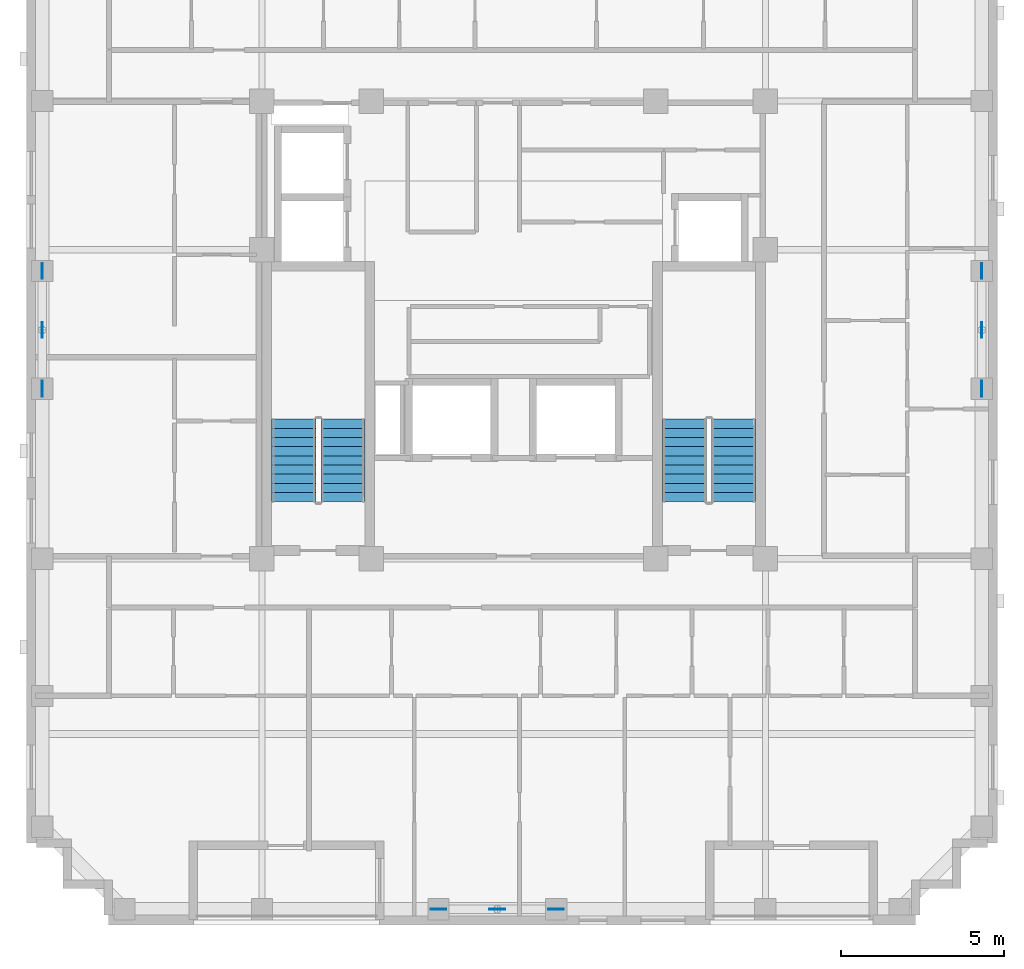
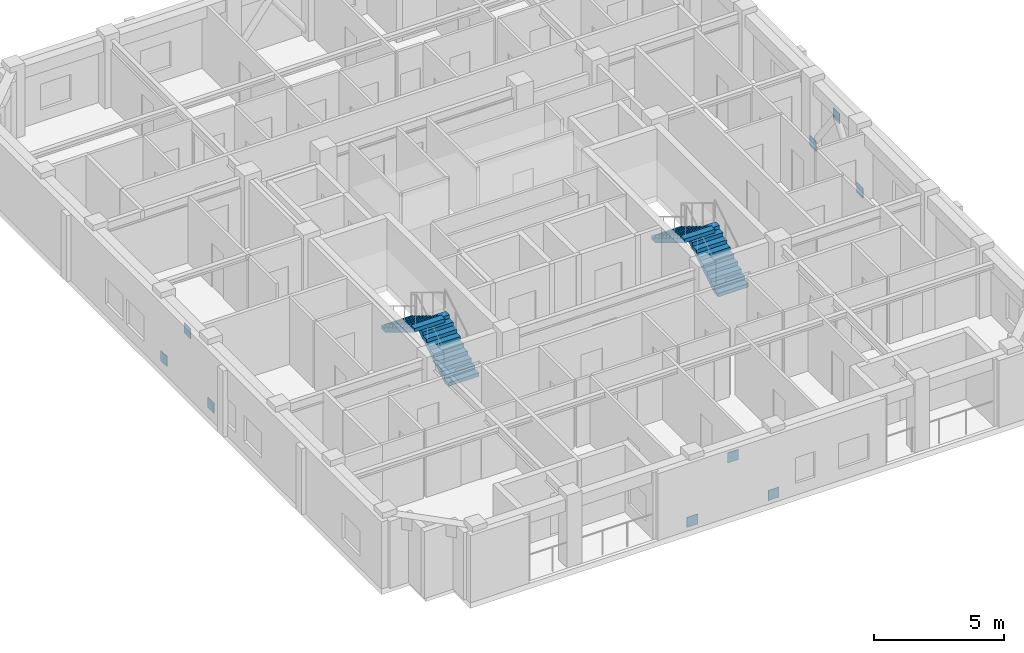
# One storey, part 8 of 11: 9 discrete accessories, 4 stair flights, 2 elements without a shape of their own.
"""IFC4 building model written with IfcOpenShell, lengths in metres."""

from ifc_helpers import new_model, si_unit, derived_unit, direction, frame, origin, origin_2d, place, context, subcontext, project, spatial, polyline, rectangle, outline, extrude, material, layer, layer_set, type_object, element, aggregate, save


model = new_model("IFC4")

# Units and contexts
model_context = context("Model", 3, precision=1e-05, world=origin(), true_north=direction((0.0, 1.0)))
body_context = subcontext(model_context, "Body", "Model", "MODEL_VIEW")
ifc_project = project(units=[si_unit("LENGTHUNIT", "METRE"), si_unit("AREAUNIT", "SQUARE_METRE"), si_unit("VOLUMEUNIT", "CUBIC_METRE"), si_unit("PLANEANGLEUNIT", "RADIAN"), si_unit("MASSUNIT", "GRAM", prefix="KILO"), derived_unit("THERMALTRANSMITTANCEUNIT", [(si_unit("MASSUNIT", "GRAM", prefix="KILO"), 1), (si_unit("TIMEUNIT", "SECOND"), -3), (si_unit("THERMODYNAMICTEMPERATUREUNIT", "KELVIN"), -1)])], contexts=[model_context])

# Site, building, storey
site_placement = place(None, origin())
site = spatial("IfcSite", under=ifc_project, at=site_placement, CompositionType="ELEMENT")
building_placement = place(site_placement, origin())
building = spatial("IfcBuilding", under=site, at=building_placement, Name="Korrvale Station Residences", CompositionType="ELEMENT")
storey_placement = place(building_placement, frame((0.0, 0.0, 241.10009765625)))
storey = spatial("IfcBuildingStorey", under=building, at=storey_placement, Name="L70", CompositionType="ELEMENT", Elevation=241.10009765625)

# Stair, stair flights
ifc_material_1 = material(Name="Concrete C50/60", Category="concrete")
stair_type = type_object("IfcStairType", Name="STR-DL-1350-20R-1700", PredefinedType="HALF_TURN_STAIR", material=ifc_material_1)
stair_1_placement = place(storey_placement, origin())
stair_1 = element("IfcStair", 1, at=stair_1_placement, inside=storey, type_object=stair_type, Name="L70 Exit Stair 1", PredefinedType="HALF_TURN_STAIR")
stair_flight_type = type_object("IfcStairFlightType", Name="FLT-DL-1350-20R-1700", PredefinedType="STRAIGHT", material=ifc_material_1)
stair_flight_1_placement = place(storey_placement, frame((20.27490234375, 16.75, 0.0), z_axis=(0.0, 0.0, 1.0), x_axis=(0.0, 1.0, 0.0)))
stair_flight_1 = element("IfcStairFlight", 2, at=stair_flight_1_placement, type_object=stair_flight_type, Name="ST-1 flight 1", NumberOfRisers=10, NumberOfTreads=9, PredefinedType="STRAIGHT", RiserHeight=0.17, TreadLength=0.28, context=body_context, shape_type="SweptSolid", body=[
    extrude(outline(polyline([(0.0, 0.0), (0.0, 0.169921875), (0.280029296875, 0.169921875), (0.280029296875, 0.340087890625), (0.56005859375, 0.340087890625), (0.56005859375, 0.510009765625), (0.840087890625, 0.510009765625), (0.840087890625, 0.679931640625), (1.1201171875, 0.679931640625), (1.1201171875, 0.85009765625), (1.39990234375, 0.85009765625), (1.39990234375, 1.02001953125), (1.679931640625, 1.02001953125), (1.679931640625, 1.18994140625), (1.9599609375, 1.18994140625), (1.9599609375, 1.360107421875), (2.239990234375, 1.360107421875), (2.239990234375, 1.530029296875), (2.52001953125, 1.530029296875), (2.52001953125, 1.699951171875), (2.52001953125, 1.354736328125), (0.288818359375, 0.0), (0.0, 0.0)])), frame((0.0, 0.675048828125, 0.0), z_axis=(0.0, -1.0, 0.0), x_axis=(1.0, 0.0, 0.0)), (0.0, 0.0, 1.0), 1.35009765625),
])
stair_flight_2_placement = place(storey_placement, frame((18.77490234375, 19.27001953125, 1.699951171875), z_axis=(0.0, 0.0, 1.0), x_axis=(0.0, -1.0, 0.0)))
stair_flight_2 = element("IfcStairFlight", 3, at=stair_flight_2_placement, type_object=stair_flight_type, Name="ST-1 flight 2", NumberOfRisers=10, NumberOfTreads=9, PredefinedType="STRAIGHT", RiserHeight=0.17, TreadLength=0.28, context=body_context, shape_type="SweptSolid", body=[
    extrude(outline(polyline([(0.0, 0.0), (0.0, 0.169921875), (0.280029296875, 0.169921875), (0.280029296875, 0.340087890625), (0.56005859375, 0.340087890625), (0.56005859375, 0.510009765625), (0.840087890625, 0.510009765625), (0.840087890625, 0.679931640625), (1.1201171875, 0.679931640625), (1.1201171875, 0.85009765625), (1.39990234375, 0.85009765625), (1.39990234375, 1.02001953125), (1.679931640625, 1.02001953125), (1.679931640625, 1.18994140625), (1.9599609375, 1.18994140625), (1.9599609375, 1.360107421875), (2.239990234375, 1.360107421875), (2.239990234375, 1.530029296875), (2.52001953125, 1.530029296875), (2.52001953125, 1.699951171875), (2.52001953125, 1.354736328125), (0.288818359375, 0.0), (0.0, 0.0)])), frame((0.0, 0.675048828125, 0.0), z_axis=(0.0, -1.0, 0.0), x_axis=(1.0, 0.0, 0.0)), (0.0, 0.0, 1.0), 1.35009765625),
])
aggregate(stair_1, [stair_flight_1, stair_flight_2])

stair_2_placement = place(storey_placement, origin())
stair_2 = element("IfcStair", 4, at=stair_2_placement, inside=storey, type_object=stair_type, Name="L70 Exit Stair 2", PredefinedType="HALF_TURN_STAIR")
stair_flight_3_placement = place(storey_placement, frame((32.22509765625, 16.75, 0.0), z_axis=(0.0, 0.0, 1.0), x_axis=(0.0, 1.0, 0.0)))
stair_flight_3 = element("IfcStairFlight", 5, at=stair_flight_3_placement, type_object=stair_flight_type, Name="ST-2 flight 1", NumberOfRisers=10, NumberOfTreads=9, PredefinedType="STRAIGHT", RiserHeight=0.17, TreadLength=0.28, context=body_context, shape_type="SweptSolid", body=[
    extrude(outline(polyline([(0.0, 0.0), (0.0, 0.169921875), (0.280029296875, 0.169921875), (0.280029296875, 0.340087890625), (0.56005859375, 0.340087890625), (0.56005859375, 0.510009765625), (0.840087890625, 0.510009765625), (0.840087890625, 0.679931640625), (1.1201171875, 0.679931640625), (1.1201171875, 0.85009765625), (1.39990234375, 0.85009765625), (1.39990234375, 1.02001953125), (1.679931640625, 1.02001953125), (1.679931640625, 1.18994140625), (1.9599609375, 1.18994140625), (1.9599609375, 1.360107421875), (2.239990234375, 1.360107421875), (2.239990234375, 1.530029296875), (2.52001953125, 1.530029296875), (2.52001953125, 1.699951171875), (2.52001953125, 1.354736328125), (0.288818359375, 0.0), (0.0, 0.0)])), frame((0.0, 0.675048828125, 0.0), z_axis=(0.0, -1.0, 0.0), x_axis=(1.0, 0.0, 0.0)), (0.0, 0.0, 1.0), 1.35009765625),
])
stair_flight_4_placement = place(storey_placement, frame((30.72509765625, 19.27001953125, 1.699951171875), z_axis=(0.0, 0.0, 1.0), x_axis=(0.0, -1.0, 0.0)))
stair_flight_4 = element("IfcStairFlight", 6, at=stair_flight_4_placement, type_object=stair_flight_type, Name="ST-2 flight 2", NumberOfRisers=10, NumberOfTreads=9, PredefinedType="STRAIGHT", RiserHeight=0.17, TreadLength=0.28, context=body_context, shape_type="SweptSolid", body=[
    extrude(outline(polyline([(0.0, 0.0), (0.0, 0.169921875), (0.280029296875, 0.169921875), (0.280029296875, 0.340087890625), (0.56005859375, 0.340087890625), (0.56005859375, 0.510009765625), (0.840087890625, 0.510009765625), (0.840087890625, 0.679931640625), (1.1201171875, 0.679931640625), (1.1201171875, 0.85009765625), (1.39990234375, 0.85009765625), (1.39990234375, 1.02001953125), (1.679931640625, 1.02001953125), (1.679931640625, 1.18994140625), (1.9599609375, 1.18994140625), (1.9599609375, 1.360107421875), (2.239990234375, 1.360107421875), (2.239990234375, 1.530029296875), (2.52001953125, 1.530029296875), (2.52001953125, 1.699951171875), (2.52001953125, 1.354736328125), (0.288818359375, 0.0), (0.0, 0.0)])), frame((0.0, 0.675048828125, 0.0), z_axis=(0.0, -1.0, 0.0), x_axis=(1.0, 0.0, 0.0)), (0.0, 0.0, 1.0), 1.35009765625),
])
aggregate(stair_2, [stair_flight_3, stair_flight_4])

# Discrete accessories
ifc_material_2 = material(Name="Steel S355", Category="steel")
ifc_layer = layer(ifc_material_2, 0.02490234375, Name="Steel S355")
ifc_layer_set = layer_set([ifc_layer], Name="Steel S355")
discrete_accessory_type = type_object("IfcDiscreteAccessoryType", Name="ACC-GUSSET-25", PredefinedType="BRACKET", material=ifc_layer_set)
for number, where, z_axis, x_axis, name in (
    (7, (23.199951171875, 4.280029296875, -0.219970703125), (0.0, 0.0, 1.0), (1.0, 0.0, 0.0), "L70 S Brace End Gusset Connection A"),
    (8, (26.800048828125, 4.280029296875, -0.219970703125), (0.0, 0.0, 1.0), (1.0, 0.0, 0.0), "L70 S Brace End Gusset Connection B"),
    (9, (25.0, 4.280029296875, 2.169921875), (0.0, 0.0, 1.0), (1.0, 0.0, 0.0), "L70 S Brace End Gusset Connection M"),
    (10, (11.080078125, 20.199951171875, -0.219970703125), (0.0, 0.0, 1.0), (0.0, 1.0, 0.0), "L70 W Brace End Gusset Connection A"),
    (11, (11.080078125, 23.800048828125, -0.219970703125), (0.0, 0.0, 1.0), (0.0, 1.0, 0.0), "L70 W Brace End Gusset Connection B"),
    (12, (11.080078125, 22.0, 2.169921875), (0.0, 0.0, 1.0), (0.0, 1.0, 0.0), "L70 W Brace End Gusset Connection M"),
    (13, (39.820068359375, 20.199951171875, -0.219970703125), (0.0, 0.0, 1.0), (0.0, 1.0, 0.0), "L70 E Brace End Gusset Connection A"),
    (14, (39.820068359375, 23.800048828125, -0.219970703125), (0.0, 0.0, 1.0), (0.0, 1.0, 0.0), "L70 E Brace End Gusset Connection B"),
    (15, (39.820068359375, 22.0, 2.169921875), (0.0, 0.0, 1.0), (0.0, 1.0, 0.0), "L70 E Brace End Gusset Connection M"),
):
    element("IfcDiscreteAccessory", number, at=place(storey_placement, frame(where, z_axis=z_axis, x_axis=x_axis)), inside=storey, type_object=discrete_accessory_type, Name=name, PredefinedType="BRACKET", context=body_context, shape_type="SweptSolid", body=[
        extrude(rectangle(XDim=0.47998046875, YDim=0.02490234375, at=origin_2d()), origin(), (0.0, 0.0, 1.0), 0.47998046875),
    ])

save(model, "model.ifc")
